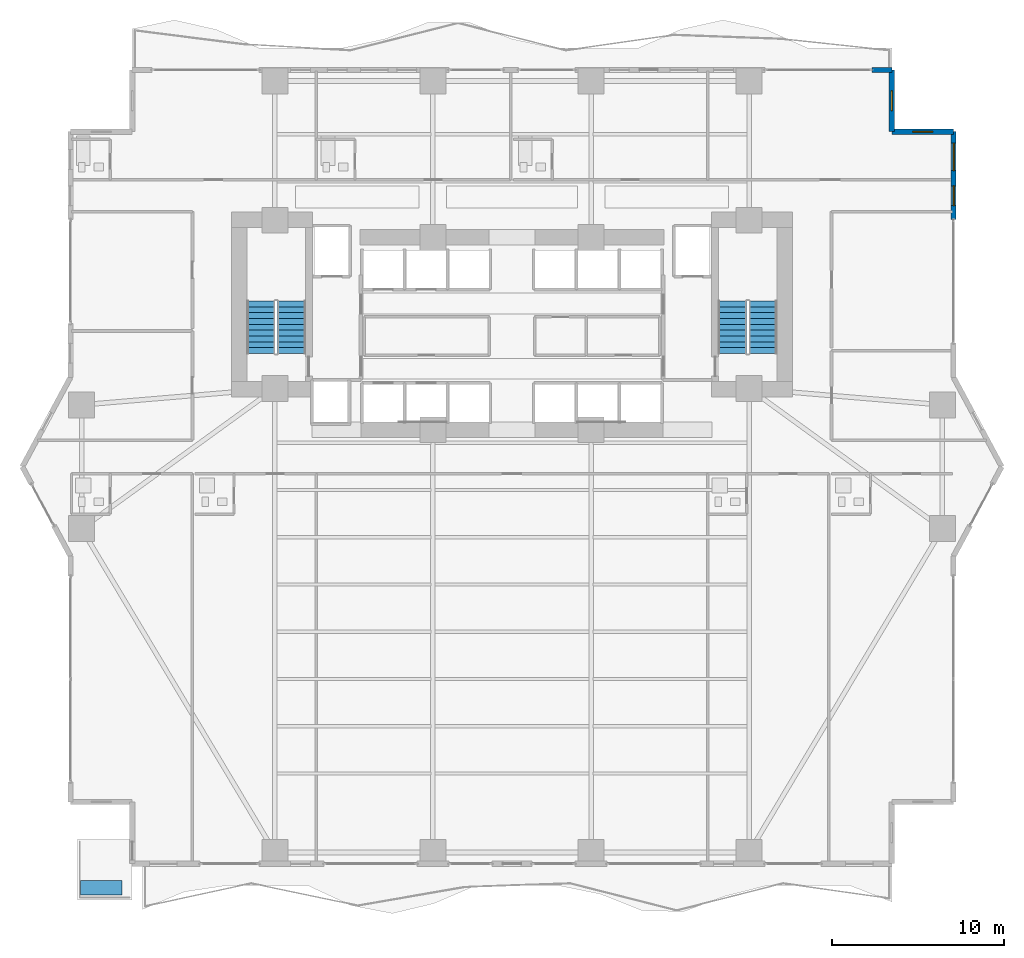
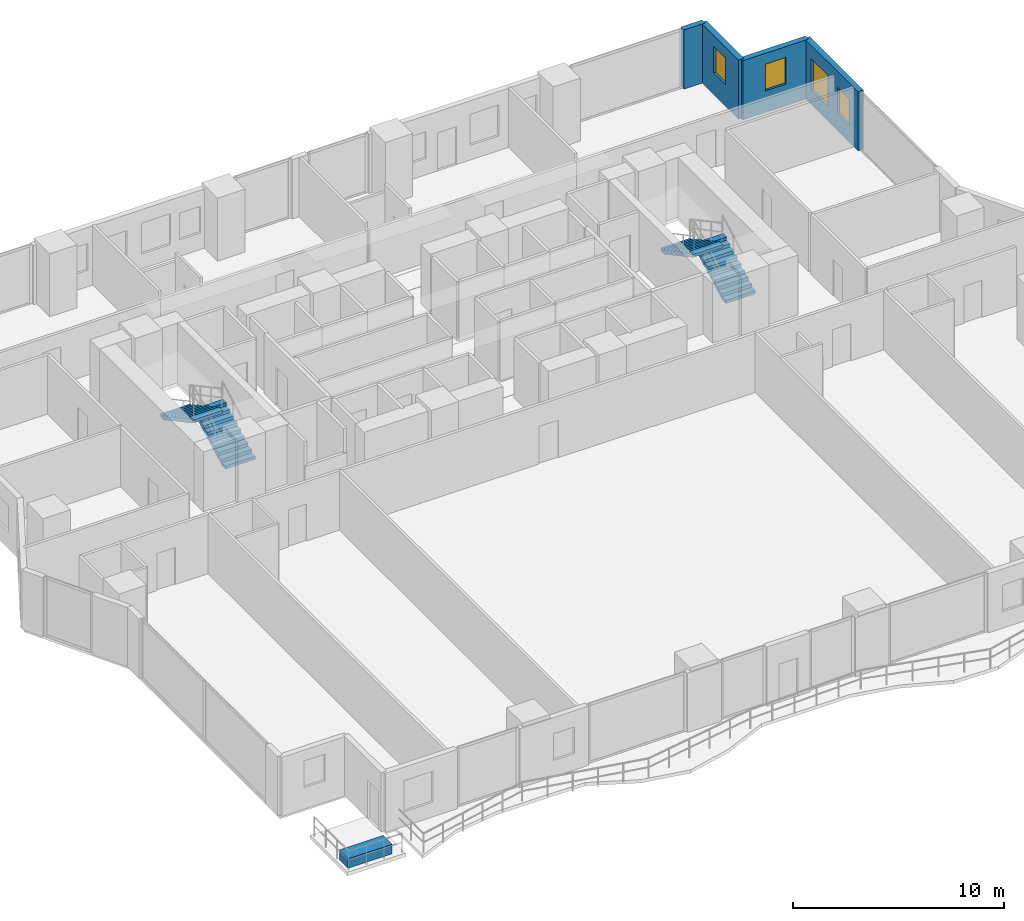
# One storey, part 23 of 28: 4 stair flights, 4 walls, 4 windows, 1 building element part, 4 openings, 2 elements without a shape of their own.
"""IFC4 building model written with IfcOpenShell, lengths in metres."""

from ifc_helpers import new_model, si_unit, direction, frame, frame_2d, origin, origin_2d, place, context, subcontext, project, spatial, polyline, rectangle, outline, extrude, material, layer, layer_set, type_object, element, fill, aggregate, save


model = new_model("IFC4")

# Units and contexts
model_context = context("Model", 3, precision=1e-05, world=origin(), true_north=direction((0.0, 1.0)))
body_context = subcontext(model_context, "Body", "Model", "MODEL_VIEW")
ifc_project = project(units=[si_unit("LENGTHUNIT", "METRE"), si_unit("AREAUNIT", "SQUARE_METRE"), si_unit("VOLUMEUNIT", "CUBIC_METRE"), si_unit("PLANEANGLEUNIT", "RADIAN"), si_unit("MASSUNIT", "GRAM", prefix="KILO")], contexts=[model_context])

# Site, building, storey
site_placement = place(None, origin())
site = spatial("IfcSite", under=ifc_project, at=site_placement, CompositionType="ELEMENT")
building_placement = place(site_placement, origin())
building = spatial("IfcBuilding", under=site, at=building_placement, Name="Zuhayl Quay Hotel", CompositionType="ELEMENT")
storey_placement = place(building_placement, frame((0.0, 0.0, 75.050048828125)))
storey = spatial("IfcBuildingStorey", under=building, at=storey_placement, Name="L18", CompositionType="ELEMENT", Elevation=75.050048828125)

# Wall
ifc_material_1 = material(Name="Precast concrete C45/55", Category="concrete")
ifc_layer_1 = layer(ifc_material_1, 0.300048828125, Name="Precast concrete C45/55", Category="concrete")
ifc_layer_set_1 = layer_set([ifc_layer_1], Name="Precast concrete C45/55")
wall_type = type_object("IfcWallType", Name="WL_EXT_300", PredefinedType="STANDARD", material=ifc_layer_set_1)
wall_1_placement = place(storey_placement, frame((20.949951171875, 23.10009765625, 0.0), z_axis=(0.0, 0.0, 1.0), x_axis=(1.0, 0.0, 0.0)))
element("IfcWall", 1, at=wall_1_placement, inside=storey, type_object=wall_type, Name="L18 Exterior Precast Wall ENV_L18_N_EW5", PredefinedType="STANDARD", context=body_context, shape_type="SweptSolid", body=[
    extrude(rectangle(XDim=1.150146484375, YDim=0.300048828125, at=frame_2d((0.5751953125, 0.0))), origin(), (0.0, 0.0, 1.0), 3.429931640625),
])

# Wall, opening, window
wall_2_placement = place(storey_placement, frame((22.10009765625, 23.10009765625, 0.0), z_axis=(0.0, 0.0, 1.0), x_axis=(0.0, -1.0, 0.0)))
wall_2 = element("IfcWall", 2, at=wall_2_placement, inside=storey, type_object=wall_type, Name="L18 Exterior Precast Wall ENV_L18_EW09", PredefinedType="STANDARD", context=body_context, shape_type="SweptSolid", body=[
    extrude(rectangle(XDim=3.60009765625, YDim=0.300048828125, at=frame_2d((1.800048828125, 0.0))), origin(), (0.0, 0.0, 1.0), 3.429931640625),
])
opening_1_placement = place(wall_2_placement, frame((1.22509765625, 0.0, 1.25)))
opening_1 = element("IfcOpeningElement", 3, at=opening_1_placement, cuts=wall_2, Name="Opening W01N", PredefinedType="OPENING", context=body_context, shape_type="SweptSolid", body=[
    extrude(rectangle(XDim=1.14990234375, YDim=1.550048828125, at=frame_2d((0.574951171875, 0.77490234375))), frame((0.0, 0.159912109375, 0.0), z_axis=(0.0, -1.0, 0.0), x_axis=(1.0, 0.0, 0.0)), (0.0, 0.0, 1.0), 0.320068359375),
])
ifc_material_2 = material(Name="Dark Ceramic-Fritted Solar Glass", Category="glass")
window_type_1 = type_object("IfcWindowType", Name="WN_NOTCH_1350", PartitioningType="SINGLE_PANEL", PredefinedType="WINDOW", material=ifc_material_2)
window_1_placement = place(opening_1_placement, origin())
window_1 = element("IfcWindow", 4, at=window_1_placement, inside=storey, type_object=window_type_1, Name="L18 Corner Notch Window 9", OverallHeight=1.550048828125, OverallWidth=1.14990234375, PartitioningType="SINGLE_PANEL", PredefinedType="WINDOW", context=body_context, shape_type="SweptSolid", body=[
    extrude(rectangle(XDim=1.14990234375, YDim=1.550048828125, at=frame_2d((0.574951171875, 0.77490234375))), frame((0.0, 0.030029296875, 0.0), z_axis=(0.0, -1.0, 0.0), x_axis=(1.0, 0.0, 0.0)), (0.0, 0.0, 1.0), 0.06005859375),
])
fill(opening_1, window_1)

wall_3_placement = place(storey_placement, frame((22.10009765625, 19.5, 0.0), z_axis=(0.0, 0.0, 1.0), x_axis=(1.0, 0.0, 0.0)))
wall_3 = element("IfcWall", 5, at=wall_3_placement, inside=storey, type_object=wall_type, Name="L18 Exterior Precast Wall ENV_L18_EW10", PredefinedType="STANDARD", context=body_context, shape_type="SweptSolid", body=[
    extrude(rectangle(XDim=3.599853515625, YDim=0.300048828125, at=frame_2d((1.7998046875, 0.0))), origin(), (0.0, 0.0, 1.0), 3.429931640625),
])
opening_2_placement = place(wall_3_placement, frame((1.22509765625, 0.0, 1.25)))
opening_2 = element("IfcOpeningElement", 6, at=opening_2_placement, cuts=wall_3, Name="Opening W01N", PredefinedType="OPENING", context=body_context, shape_type="SweptSolid", body=[
    extrude(rectangle(XDim=1.14990234375, YDim=1.550048828125, at=frame_2d((0.574951171875, 0.77490234375))), frame((0.0, 0.159912109375, 0.0), z_axis=(0.0, -1.0, 0.0), x_axis=(1.0, 0.0, 0.0)), (0.0, 0.0, 1.0), 0.320068359375),
])
window_2_placement = place(opening_2_placement, origin())
window_2 = element("IfcWindow", 7, at=window_2_placement, inside=storey, type_object=window_type_1, Name="L18 Corner Notch Window 10", OverallHeight=1.550048828125, OverallWidth=1.14990234375, PartitioningType="SINGLE_PANEL", PredefinedType="WINDOW", context=body_context, shape_type="SweptSolid", body=[
    extrude(rectangle(XDim=1.14990234375, YDim=1.550048828125, at=frame_2d((0.574951171875, 0.77490234375))), frame((0.0, 0.030029296875, 0.0), z_axis=(0.0, -1.0, 0.0), x_axis=(1.0, 0.0, 0.0)), (0.0, 0.0, 1.0), 0.06005859375),
])
fill(opening_2, window_2)

# Wall, openings, windows
wall_4_placement = place(storey_placement, frame((25.699951171875, 19.5, 0.0), z_axis=(0.0, 0.0, 1.0), x_axis=(0.0, -1.0, 0.0)))
wall_4 = element("IfcWall", 8, at=wall_4_placement, inside=storey, type_object=wall_type, Name="L18 Exterior Precast Wall ENV_L18_E11_EW1", PredefinedType="STANDARD", context=body_context, shape_type="SweptSolid", body=[
    extrude(rectangle(XDim=5.10009765625, YDim=0.300048828125, at=frame_2d((2.550048828125, 0.0))), origin(), (0.0, 0.0, 1.0), 3.429931640625),
])
opening_3_placement = place(wall_4_placement, frame((0.659912109375, 0.0, 0.85009765625)))
opening_3 = element("IfcOpeningElement", 9, at=opening_3_placement, cuts=wall_4, Name="Opening W01", PredefinedType="OPENING", context=body_context, shape_type="SweptSolid", body=[
    extrude(rectangle(XDim=1.60009765625, YDim=1.800048828125, at=frame_2d((0.800048828125, 0.89990234375))), frame((0.0, 0.159912109375, 0.0), z_axis=(0.0, -1.0, 0.0), x_axis=(1.0, 0.0, 0.0)), (0.0, 0.0, 1.0), 0.320068359375),
])
opening_4_placement = place(wall_4_placement, frame((3.14990234375, 0.0, 0.949951171875)))
opening_4 = element("IfcOpeningElement", 10, at=opening_4_placement, cuts=wall_4, Name="Opening W01N", PredefinedType="OPENING", context=body_context, shape_type="SweptSolid", body=[
    extrude(rectangle(XDim=1.14990234375, YDim=1.550048828125, at=frame_2d((0.574951171875, 0.77490234375))), frame((0.0, 0.159912109375, 0.0), z_axis=(0.0, -1.0, 0.0), x_axis=(1.0, 0.0, 0.0)), (0.0, 0.0, 1.0), 0.320068359375),
])
window_3_placement = place(opening_4_placement, origin())
window_3 = element("IfcWindow", 11, at=window_3_placement, inside=storey, type_object=window_type_1, Name="L18 Operable Facade Window 1-2", OverallHeight=1.550048828125, OverallWidth=1.14990234375, PartitioningType="SINGLE_PANEL", PredefinedType="WINDOW", context=body_context, shape_type="SweptSolid", body=[
    extrude(rectangle(XDim=1.14990234375, YDim=1.550048828125, at=frame_2d((0.574951171875, 0.77490234375))), frame((0.0, 0.030029296875, 0.0), z_axis=(0.0, -1.0, 0.0), x_axis=(1.0, 0.0, 0.0)), (0.0, 0.0, 1.0), 0.06005859375),
])
fill(opening_4, window_3)
window_type_2 = type_object("IfcWindowType", Name="WN_OPERABLE_1600", PartitioningType="DOUBLE_PANEL_VERTICAL", PredefinedType="WINDOW", material=ifc_material_2)
window_4_placement = place(opening_3_placement, origin())
window_4 = element("IfcWindow", 12, at=window_4_placement, inside=storey, type_object=window_type_2, Name="L18 Operable Facade Window 1-1", OverallHeight=1.800048828125, OverallWidth=1.60009765625, PartitioningType="SINGLE_PANEL", PredefinedType="WINDOW", context=body_context, shape_type="SweptSolid", body=[
    extrude(rectangle(XDim=1.60009765625, YDim=1.800048828125, at=frame_2d((0.800048828125, 0.89990234375))), frame((0.0, 0.030029296875, 0.0), z_axis=(0.0, -1.0, 0.0), x_axis=(1.0, 0.0, 0.0)), (0.0, 0.0, 1.0), 0.06005859375),
])
fill(opening_3, window_4)

# Stair, stair flights
ifc_material_3 = material(Name="Concrete C45/55", Category="concrete")
stair_type = type_object("IfcStairType", Name="ST_DOGLEG_TOWER", PredefinedType="HALF_TURN_STAIR", material=ifc_material_3)
stair_1_placement = place(storey_placement, origin())
stair_1 = element("IfcStair", 13, at=stair_1_placement, inside=storey, type_object=stair_type, Name="L18 Smokeproof Exit Stair ST1", PredefinedType="HALF_TURN_STAIR")
ifc_layer_2 = layer(ifc_material_3, 0.159912109375, Name="Concrete C45/55", Category="concrete")
ifc_layer_set_2 = layer_set([ifc_layer_2], Name="Concrete C45/55")
stair_flight_type = type_object("IfcStairFlightType", Name="SF_CONC_164", PredefinedType="STRAIGHT", material=ifc_layer_set_2)
stair_flight_1_placement = place(storey_placement, frame((-12.820068359375, 6.590087890625, 0.0), z_axis=(0.0, 0.0, 1.0), x_axis=(0.0, 1.0, 0.0)))
stair_flight_1 = element("IfcStairFlight", 14, at=stair_flight_1_placement, type_object=stair_flight_type, Name="ST1 flight 1", NumberOfRisers=10, NumberOfTreads=9, PredefinedType="STRAIGHT", RiserHeight=0.1825, TreadLength=0.34, context=body_context, shape_type="SweptSolid", body=[
    extrude(outline(polyline([(0.0, 0.0), (0.0, 0.1826171875), (0.340087890625, 0.1826171875), (0.340087890625, 0.364990234375), (0.679931640625, 0.364990234375), (0.679931640625, 0.547607421875), (1.02001953125, 0.547607421875), (1.02001953125, 0.72998046875), (1.360107421875, 0.72998046875), (1.360107421875, 0.91259765625), (1.699951171875, 0.91259765625), (1.699951171875, 1.094970703125), (2.0400390625, 1.094970703125), (2.0400390625, 1.277587890625), (2.3798828125, 1.277587890625), (2.3798828125, 1.4599609375), (2.719970703125, 1.4599609375), (2.719970703125, 1.642578125), (3.06005859375, 1.642578125), (3.06005859375, 1.824951171875), (3.06005859375, 1.472412109375), (0.31689453125, 0.0), (0.0, 0.0)])), frame((0.0, 0.81982421875, 0.0), z_axis=(0.0, -1.0, 0.0), x_axis=(1.0, 0.0, 0.0)), (0.0, 0.0, 1.0), 1.639892578125),
])
stair_flight_2_placement = place(storey_placement, frame((-14.610107421875, 9.64990234375, 1.824951171875), z_axis=(0.0, 0.0, 1.0), x_axis=(0.0, -1.0, 0.0)))
stair_flight_2 = element("IfcStairFlight", 15, at=stair_flight_2_placement, type_object=stair_flight_type, Name="ST1 flight 2", NumberOfRisers=10, NumberOfTreads=9, PredefinedType="STRAIGHT", RiserHeight=0.1825, TreadLength=0.34, context=body_context, shape_type="SweptSolid", body=[
    extrude(outline(polyline([(0.0, 0.0), (0.0, 0.1826171875), (0.340087890625, 0.1826171875), (0.340087890625, 0.364990234375), (0.679931640625, 0.364990234375), (0.679931640625, 0.547607421875), (1.02001953125, 0.547607421875), (1.02001953125, 0.72998046875), (1.360107421875, 0.72998046875), (1.360107421875, 0.91259765625), (1.699951171875, 0.91259765625), (1.699951171875, 1.094970703125), (2.0400390625, 1.094970703125), (2.0400390625, 1.277587890625), (2.3798828125, 1.277587890625), (2.3798828125, 1.4599609375), (2.719970703125, 1.4599609375), (2.719970703125, 1.642578125), (3.06005859375, 1.642578125), (3.06005859375, 1.824951171875), (3.06005859375, 1.472412109375), (0.31689453125, 0.0), (0.0, 0.0)])), frame((0.0, 0.81982421875, 0.0), z_axis=(0.0, -1.0, 0.0), x_axis=(1.0, 0.0, 0.0)), (0.0, 0.0, 1.0), 1.639892578125),
])
aggregate(stair_1, [stair_flight_1, stair_flight_2])

stair_2_placement = place(storey_placement, origin())
stair_2 = element("IfcStair", 16, at=stair_2_placement, inside=storey, type_object=stair_type, Name="L18 Smokeproof Exit Stair ST2", PredefinedType="HALF_TURN_STAIR")
stair_flight_3_placement = place(storey_placement, frame((14.610107421875, 6.590087890625, 0.0), z_axis=(0.0, 0.0, 1.0), x_axis=(0.0, 1.0, 0.0)))
stair_flight_3 = element("IfcStairFlight", 17, at=stair_flight_3_placement, type_object=stair_flight_type, Name="ST2 flight 1", NumberOfRisers=10, NumberOfTreads=9, PredefinedType="STRAIGHT", RiserHeight=0.1825, TreadLength=0.34, context=body_context, shape_type="SweptSolid", body=[
    extrude(outline(polyline([(0.0, 0.0), (0.0, 0.1826171875), (0.340087890625, 0.1826171875), (0.340087890625, 0.364990234375), (0.679931640625, 0.364990234375), (0.679931640625, 0.547607421875), (1.02001953125, 0.547607421875), (1.02001953125, 0.72998046875), (1.360107421875, 0.72998046875), (1.360107421875, 0.91259765625), (1.699951171875, 0.91259765625), (1.699951171875, 1.094970703125), (2.0400390625, 1.094970703125), (2.0400390625, 1.277587890625), (2.3798828125, 1.277587890625), (2.3798828125, 1.4599609375), (2.719970703125, 1.4599609375), (2.719970703125, 1.642578125), (3.06005859375, 1.642578125), (3.06005859375, 1.824951171875), (3.06005859375, 1.472412109375), (0.31689453125, 0.0), (0.0, 0.0)])), frame((0.0, 0.81982421875, 0.0), z_axis=(0.0, -1.0, 0.0), x_axis=(1.0, 0.0, 0.0)), (0.0, 0.0, 1.0), 1.639892578125),
])
stair_flight_4_placement = place(storey_placement, frame((12.820068359375, 9.64990234375, 1.824951171875), z_axis=(0.0, 0.0, 1.0), x_axis=(0.0, -1.0, 0.0)))
stair_flight_4 = element("IfcStairFlight", 18, at=stair_flight_4_placement, type_object=stair_flight_type, Name="ST2 flight 2", NumberOfRisers=10, NumberOfTreads=9, PredefinedType="STRAIGHT", RiserHeight=0.1825, TreadLength=0.34, context=body_context, shape_type="SweptSolid", body=[
    extrude(outline(polyline([(0.0, 0.0), (0.0, 0.1826171875), (0.340087890625, 0.1826171875), (0.340087890625, 0.364990234375), (0.679931640625, 0.364990234375), (0.679931640625, 0.547607421875), (1.02001953125, 0.547607421875), (1.02001953125, 0.72998046875), (1.360107421875, 0.72998046875), (1.360107421875, 0.91259765625), (1.699951171875, 0.91259765625), (1.699951171875, 1.094970703125), (2.0400390625, 1.094970703125), (2.0400390625, 1.277587890625), (2.3798828125, 1.277587890625), (2.3798828125, 1.4599609375), (2.719970703125, 1.4599609375), (2.719970703125, 1.642578125), (3.06005859375, 1.642578125), (3.06005859375, 1.824951171875), (3.06005859375, 1.472412109375), (0.31689453125, 0.0), (0.0, 0.0)])), frame((0.0, 0.81982421875, 0.0), z_axis=(0.0, -1.0, 0.0), x_axis=(1.0, 0.0, 0.0)), (0.0, 0.0, 1.0), 1.639892578125),
])
aggregate(stair_2, [stair_flight_3, stair_flight_4])

# Building element part
ifc_layer_3 = layer(ifc_material_1, 0.550048828125, Name="Precast concrete C45/55", Category="concrete")
ifc_layer_set_3 = layer_set([ifc_layer_3], Name="Precast concrete C45/55")
building_element_part_type = type_object("IfcBuildingElementPartType", Name="PT_PLANTER_KERB", PredefinedType="PRECASTPANEL", material=ifc_layer_set_3)
building_element_part_placement = place(storey_placement, frame((-23.909912109375, -24.510009765625, 0.0), z_axis=(0.0, 0.0, 1.0), x_axis=(1.0, 0.0, 0.0)))
element("IfcBuildingElementPart", 19, at=building_element_part_placement, inside=storey, type_object=building_element_part_type, Name="L18 Spiral Sky-Terrace Planter Box SW", PredefinedType="PRECASTPANEL", context=body_context, shape_type="SweptSolid", body=[
    extrude(rectangle(XDim=2.39990234375, YDim=0.85009765625, at=origin_2d()), origin(), (0.0, 0.0, 1.0), 0.550048828125),
])

save(model, "model.ifc")
